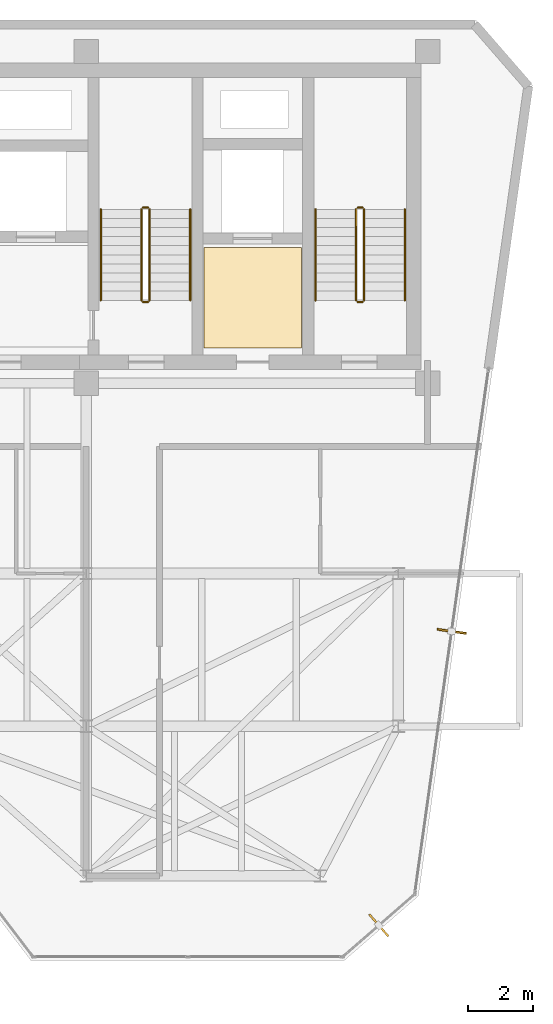
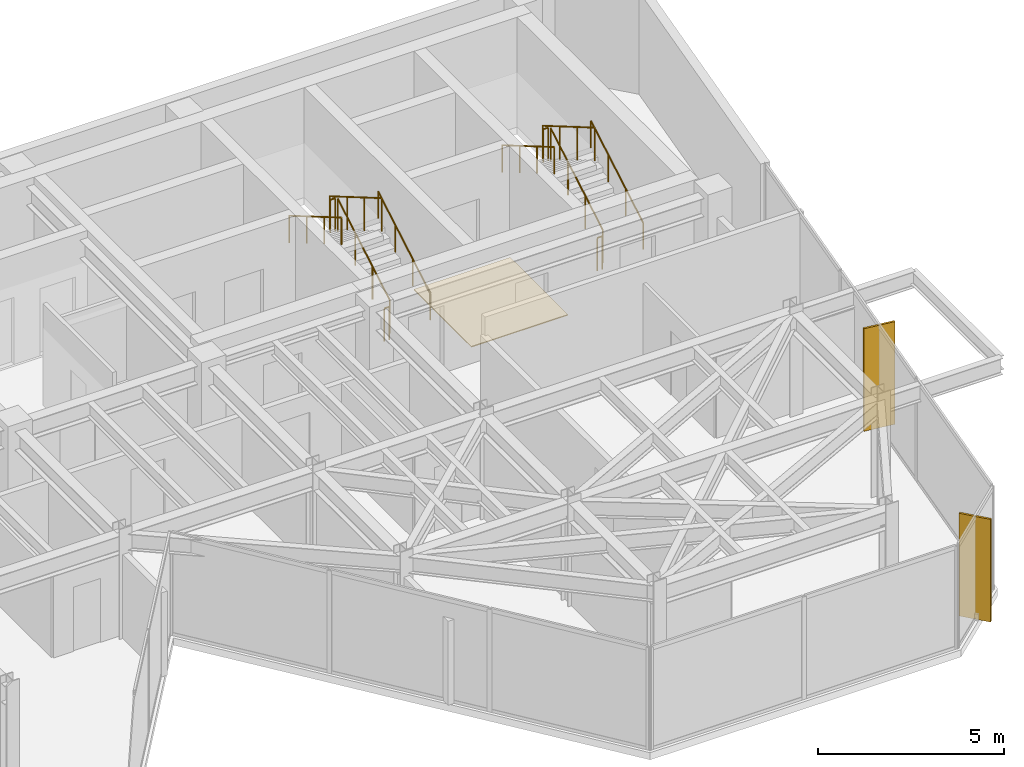
# One storey, part 16 of 16: 12 railings, 2 shading devices, 1 covering.
"""IFC4 building model written with IfcOpenShell, lengths in metres."""

from ifc_helpers import new_model, si_unit, direction, frame, origin, origin_2d, place, context, subcontext, project, spatial, polyline, rectangle, circle, outline, extrude, material, layer, layer_set, type_object, element, save


model = new_model("IFC4")

# Units and contexts
model_context = context("Model", 3, precision=1e-05, world=origin(), true_north=direction((0.0, 1.0)))
body_context = subcontext(model_context, "Body", "Model", "MODEL_VIEW")
ifc_project = project(units=[si_unit("LENGTHUNIT", "METRE"), si_unit("AREAUNIT", "SQUARE_METRE"), si_unit("VOLUMEUNIT", "CUBIC_METRE"), si_unit("PLANEANGLEUNIT", "RADIAN"), si_unit("MASSUNIT", "GRAM", prefix="KILO")], contexts=[model_context])

# Site, building, storey
site_placement = place(None, origin())
site = spatial("IfcSite", under=ifc_project, at=site_placement, CompositionType="ELEMENT")
building_placement = place(site_placement, origin())
building = spatial("IfcBuilding", under=site, at=building_placement, Name="Kravanh Interchange Tower", CompositionType="ELEMENT")
storey_placement = place(building_placement, frame((0.0, 0.0, 296.699951171875)))
storey = spatial("IfcBuildingStorey", under=building, at=storey_placement, Name="L73", CompositionType="ELEMENT", Elevation=296.699951171875)

# Covering
ifc_material_1 = material(Name="Cementitious Terrazzo Tile")
ifc_layer_1 = layer(ifc_material_1, 0.030029296875)
ifc_layer_set_1 = layer_set([ifc_layer_1], Name="Honed Terrazzo Lobby Flooring 30mm")
covering_type = type_object("IfcCoveringType", Name="Honed Terrazzo Lobby Flooring 30mm", PredefinedType="FLOORING", material=ifc_layer_set_1)
covering_placement = place(storey_placement, origin())
element("IfcCovering", 1, at=covering_placement, inside=storey, type_object=covering_type, Name="L73 Service Lift Lobby Floor Finish", PredefinedType="FLOORING", context=body_context, shape_type="SweptSolid", body=[
    extrude(outline(polyline([(59.6298828125, 41.52001953125), (62.6201171875, 41.52001953125), (62.6201171875, 38.429931640625), (59.6298828125, 38.429931640625), (59.6298828125, 41.52001953125)])), origin(), (0.0, 0.0, 1.0), 0.030029296875),
])

# Railings
ifc_material_2 = material(Name="Structural Steel S355", Category="steel")
ifc_layer_2 = layer(ifc_material_2, 0.050048828125)
ifc_layer_set_2 = layer_set([ifc_layer_2], Name="Stair Well Guardrail Structural Steel S355 1100mm")
railing_type_1 = type_object("IfcRailingType", Name="Stair Well Guardrail Structural Steel S355 1100mm", PredefinedType="GUARDRAIL", material=ifc_layer_set_2)
railing_1_placement = place(storey_placement, frame((64.550048828125, 39.89990234375, 0.16357421875)))
element("IfcRailing", 2, at=railing_1_placement, inside=storey, type_object=railing_type_1, Name="L73 ST1 stair guard 1", PredefinedType="GUARDRAIL", context=body_context, shape_type="SweptSolid", body=[
    extrude(circle(Radius=0.02392578125, at=origin_2d()), frame((0.0, 0.0, 1.076171875), z_axis=(0.0, 0.863360870873, 0.504586966384), x_axis=(-1.0, 0.0, 0.0)), (0.0, 0.0, 1.0), 3.2431640625),
    extrude(circle(Radius=0.02099609375, at=origin_2d()), origin(), (0.0, 0.0, 1.0), 1.052001953125),
    extrude(circle(Radius=0.02099609375, at=origin_2d()), frame((0.0, 0.933349609375, 0.54541015625)), (0.0, 0.0, 1.0), 1.052001953125),
    extrude(circle(Radius=0.02099609375, at=origin_2d()), frame((0.0, 1.86669921875, 1.091064453125)), (0.0, 0.0, 1.0), 1.052001953125),
    extrude(circle(Radius=0.02099609375, at=origin_2d()), frame((0.0, 2.800048828125, 1.636474609375)), (0.0, 0.0, 1.0), 1.052001953125),
])
railing_2_placement = place(storey_placement, frame((64.5, 42.75, 1.800048828125)))
element("IfcRailing", 3, at=railing_2_placement, inside=storey, type_object=railing_type_1, Name="L73 ST1 stair guard 2", PredefinedType="GUARDRAIL", context=body_context, shape_type="SweptSolid", body=[
    extrude(circle(Radius=0.02392578125, at=origin_2d()), frame((0.0, 0.0, 1.076171875), z_axis=(-1.0, 0.0, 0.0), x_axis=(0.0, -1.0, 0.0)), (0.0, 0.0, 1.0), 0.14990234375),
    extrude(circle(Radius=0.02099609375, at=origin_2d()), origin(), (0.0, 0.0, 1.0), 1.052001953125),
    extrude(circle(Radius=0.02099609375, at=origin_2d()), frame((-0.14990234375, 0.0, 0.0)), (0.0, 0.0, 1.0), 1.052001953125),
])
railing_3_placement = place(storey_placement, frame((64.300048828125, 42.699951171875, 1.963623046875)))
element("IfcRailing", 4, at=railing_3_placement, inside=storey, type_object=railing_type_1, Name="L73 ST1 stair guard 3", PredefinedType="GUARDRAIL", context=body_context, shape_type="SweptSolid", body=[
    extrude(circle(Radius=0.02392578125, at=origin_2d()), frame((0.0, 0.0, 1.076171875), z_axis=(0.0, -0.863360870873, 0.504586966384), x_axis=(1.0, 0.0, 0.0)), (0.0, 0.0, 1.0), 3.2431640625),
    extrude(circle(Radius=0.02099609375, at=origin_2d()), origin(), (0.0, 0.0, 1.0), 1.052001953125),
    extrude(circle(Radius=0.02099609375, at=origin_2d()), frame((0.0, -0.933349609375, 0.54541015625)), (0.0, 0.0, 1.0), 1.052001953125),
    extrude(circle(Radius=0.02099609375, at=origin_2d()), frame((0.0, -1.86669921875, 1.091064453125)), (0.0, 0.0, 1.0), 1.052001953125),
    extrude(circle(Radius=0.02099609375, at=origin_2d()), frame((0.0, -2.800048828125, 1.636474609375)), (0.0, 0.0, 1.0), 1.052001953125),
])
railing_4_placement = place(storey_placement, frame((64.5, 39.85009765625, 0.0)))
element("IfcRailing", 5, at=railing_4_placement, inside=storey, type_object=railing_type_1, Name="L73 ST1 stair guard 4", PredefinedType="GUARDRAIL", context=body_context, shape_type="SweptSolid", body=[
    extrude(circle(Radius=0.02392578125, at=origin_2d()), frame((0.0, 0.0, 1.076171875), z_axis=(-1.0, 0.0, 0.0), x_axis=(0.0, -1.0, 0.0)), (0.0, 0.0, 1.0), 0.14990234375),
    extrude(circle(Radius=0.02099609375, at=origin_2d()), origin(), (0.0, 0.0, 1.0), 1.052001953125),
    extrude(circle(Radius=0.02099609375, at=origin_2d()), frame((-0.14990234375, 0.0, 0.0)), (0.0, 0.0, 1.0), 1.052001953125),
])
railing_5_placement = place(storey_placement, frame((57.949951171875, 39.89990234375, 0.16357421875)))
element("IfcRailing", 6, at=railing_5_placement, inside=storey, type_object=railing_type_1, Name="L73 ST2 stair guard 1", PredefinedType="GUARDRAIL", context=body_context, shape_type="SweptSolid", body=[
    extrude(circle(Radius=0.02392578125, at=origin_2d()), frame((0.0, 0.0, 1.076171875), z_axis=(0.0, 0.863360870873, 0.504586966384), x_axis=(-1.0, 0.0, 0.0)), (0.0, 0.0, 1.0), 3.2431640625),
    extrude(circle(Radius=0.02099609375, at=origin_2d()), origin(), (0.0, 0.0, 1.0), 1.052001953125),
    extrude(circle(Radius=0.02099609375, at=origin_2d()), frame((0.0, 0.933349609375, 0.54541015625)), (0.0, 0.0, 1.0), 1.052001953125),
    extrude(circle(Radius=0.02099609375, at=origin_2d()), frame((0.0, 1.86669921875, 1.091064453125)), (0.0, 0.0, 1.0), 1.052001953125),
    extrude(circle(Radius=0.02099609375, at=origin_2d()), frame((0.0, 2.800048828125, 1.636474609375)), (0.0, 0.0, 1.0), 1.052001953125),
])
railing_6_placement = place(storey_placement, frame((57.89990234375, 42.75, 1.800048828125)))
element("IfcRailing", 7, at=railing_6_placement, inside=storey, type_object=railing_type_1, Name="L73 ST2 stair guard 2", PredefinedType="GUARDRAIL", context=body_context, shape_type="SweptSolid", body=[
    extrude(circle(Radius=0.02392578125, at=origin_2d()), frame((0.0, 0.0, 1.076171875), z_axis=(-1.0, 0.0, 0.0), x_axis=(0.0, -1.0, 0.0)), (0.0, 0.0, 1.0), 0.14990234375),
    extrude(circle(Radius=0.02099609375, at=origin_2d()), origin(), (0.0, 0.0, 1.0), 1.052001953125),
    extrude(circle(Radius=0.02099609375, at=origin_2d()), frame((-0.14990234375, 0.0, 0.0)), (0.0, 0.0, 1.0), 1.052001953125),
])
railing_7_placement = place(storey_placement, frame((57.699951171875, 42.699951171875, 1.963623046875)))
element("IfcRailing", 8, at=railing_7_placement, inside=storey, type_object=railing_type_1, Name="L73 ST2 stair guard 3", PredefinedType="GUARDRAIL", context=body_context, shape_type="SweptSolid", body=[
    extrude(circle(Radius=0.02392578125, at=origin_2d()), frame((0.0, 0.0, 1.076171875), z_axis=(0.0, -0.863360870873, 0.504586966384), x_axis=(1.0, 0.0, 0.0)), (0.0, 0.0, 1.0), 3.2431640625),
    extrude(circle(Radius=0.02099609375, at=origin_2d()), origin(), (0.0, 0.0, 1.0), 1.052001953125),
    extrude(circle(Radius=0.02099609375, at=origin_2d()), frame((0.0, -0.933349609375, 0.54541015625)), (0.0, 0.0, 1.0), 1.052001953125),
    extrude(circle(Radius=0.02099609375, at=origin_2d()), frame((0.0, -1.86669921875, 1.091064453125)), (0.0, 0.0, 1.0), 1.052001953125),
    extrude(circle(Radius=0.02099609375, at=origin_2d()), frame((0.0, -2.800048828125, 1.636474609375)), (0.0, 0.0, 1.0), 1.052001953125),
])
railing_8_placement = place(storey_placement, frame((57.89990234375, 39.85009765625, 0.0)))
element("IfcRailing", 9, at=railing_8_placement, inside=storey, type_object=railing_type_1, Name="L73 ST2 stair guard 4", PredefinedType="GUARDRAIL", context=body_context, shape_type="SweptSolid", body=[
    extrude(circle(Radius=0.02392578125, at=origin_2d()), frame((0.0, 0.0, 1.076171875), z_axis=(-1.0, 0.0, 0.0), x_axis=(0.0, -1.0, 0.0)), (0.0, 0.0, 1.0), 0.14990234375),
    extrude(circle(Radius=0.02099609375, at=origin_2d()), origin(), (0.0, 0.0, 1.0), 1.052001953125),
    extrude(circle(Radius=0.02099609375, at=origin_2d()), frame((-0.14990234375, 0.0, 0.0)), (0.0, 0.0, 1.0), 1.052001953125),
])
ifc_material_3 = material(Name="Stainless Steel 304", Category="steel")
ifc_layer_3 = layer(ifc_material_3, 0.044921875)
ifc_layer_set_3 = layer_set([ifc_layer_3], Name="Tubular Stair Handrail Stainless 304 900mm")
railing_type_2 = type_object("IfcRailingType", Name="Tubular Stair Handrail Stainless 304 900mm", PredefinedType="HANDRAIL", material=ifc_layer_set_3)
railing_9_placement = place(storey_placement, frame((65.800048828125, 39.89990234375, 0.16357421875)))
element("IfcRailing", 10, at=railing_9_placement, inside=storey, type_object=railing_type_2, Name="L73 ST1 stair handrail 1", PredefinedType="HANDRAIL", context=body_context, shape_type="SweptSolid", body=[
    extrude(circle(Radius=0.02392578125, at=origin_2d()), frame((0.0, 0.0, 0.8759765625), z_axis=(0.0, 0.863360870873, 0.504586966384), x_axis=(-1.0, 0.0, 0.0)), (0.0, 0.0, 1.0), 3.2431640625),
    extrude(circle(Radius=0.02099609375, at=origin_2d()), origin(), (0.0, 0.0, 1.0), 0.851806640625),
    extrude(circle(Radius=0.02099609375, at=origin_2d()), frame((0.0, 0.933349609375, 0.54541015625)), (0.0, 0.0, 1.0), 0.851806640625),
    extrude(circle(Radius=0.02099609375, at=origin_2d()), frame((0.0, 1.86669921875, 1.091064453125)), (0.0, 0.0, 1.0), 0.851806640625),
    extrude(circle(Radius=0.02099609375, at=origin_2d()), frame((0.0, 2.800048828125, 1.636474609375)), (0.0, 0.0, 1.0), 0.851806640625),
])
railing_10_placement = place(storey_placement, frame((63.050048828125, 42.699951171875, 1.963623046875)))
element("IfcRailing", 11, at=railing_10_placement, inside=storey, type_object=railing_type_2, Name="L73 ST1 stair handrail 2", PredefinedType="HANDRAIL", context=body_context, shape_type="SweptSolid", body=[
    extrude(circle(Radius=0.02392578125, at=origin_2d()), frame((0.0, 0.0, 0.8759765625), z_axis=(0.0, -0.863360870873, 0.504586966384), x_axis=(1.0, 0.0, 0.0)), (0.0, 0.0, 1.0), 3.2431640625),
    extrude(circle(Radius=0.02099609375, at=origin_2d()), origin(), (0.0, 0.0, 1.0), 0.851806640625),
    extrude(circle(Radius=0.02099609375, at=origin_2d()), frame((0.0, -0.933349609375, 0.54541015625)), (0.0, 0.0, 1.0), 0.851806640625),
    extrude(circle(Radius=0.02099609375, at=origin_2d()), frame((0.0, -1.86669921875, 1.091064453125)), (0.0, 0.0, 1.0), 0.851806640625),
    extrude(circle(Radius=0.02099609375, at=origin_2d()), frame((0.0, -2.800048828125, 1.636474609375)), (0.0, 0.0, 1.0), 0.851806640625),
])
railing_11_placement = place(storey_placement, frame((59.199951171875, 39.89990234375, 0.16357421875)))
element("IfcRailing", 12, at=railing_11_placement, inside=storey, type_object=railing_type_2, Name="L73 ST2 stair handrail 1", PredefinedType="HANDRAIL", context=body_context, shape_type="SweptSolid", body=[
    extrude(circle(Radius=0.02392578125, at=origin_2d()), frame((0.0, 0.0, 0.8759765625), z_axis=(0.0, 0.863360870873, 0.504586966384), x_axis=(-1.0, 0.0, 0.0)), (0.0, 0.0, 1.0), 3.2431640625),
    extrude(circle(Radius=0.02099609375, at=origin_2d()), origin(), (0.0, 0.0, 1.0), 0.851806640625),
    extrude(circle(Radius=0.02099609375, at=origin_2d()), frame((0.0, 0.933349609375, 0.54541015625)), (0.0, 0.0, 1.0), 0.851806640625),
    extrude(circle(Radius=0.02099609375, at=origin_2d()), frame((0.0, 1.86669921875, 1.091064453125)), (0.0, 0.0, 1.0), 0.851806640625),
    extrude(circle(Radius=0.02099609375, at=origin_2d()), frame((0.0, 2.800048828125, 1.636474609375)), (0.0, 0.0, 1.0), 0.851806640625),
])
railing_12_placement = place(storey_placement, frame((56.449951171875, 42.699951171875, 1.963623046875)))
element("IfcRailing", 13, at=railing_12_placement, inside=storey, type_object=railing_type_2, Name="L73 ST2 stair handrail 2", PredefinedType="HANDRAIL", context=body_context, shape_type="SweptSolid", body=[
    extrude(circle(Radius=0.02392578125, at=origin_2d()), frame((0.0, 0.0, 0.8759765625), z_axis=(0.0, -0.863360870873, 0.504586966384), x_axis=(1.0, 0.0, 0.0)), (0.0, 0.0, 1.0), 3.2431640625),
    extrude(circle(Radius=0.02099609375, at=origin_2d()), origin(), (0.0, 0.0, 1.0), 0.851806640625),
    extrude(circle(Radius=0.02099609375, at=origin_2d()), frame((0.0, -0.933349609375, 0.54541015625)), (0.0, 0.0, 1.0), 0.851806640625),
    extrude(circle(Radius=0.02099609375, at=origin_2d()), frame((0.0, -1.86669921875, 1.091064453125)), (0.0, 0.0, 1.0), 0.851806640625),
    extrude(circle(Radius=0.02099609375, at=origin_2d()), frame((0.0, -2.800048828125, 1.636474609375)), (0.0, 0.0, 1.0), 0.851806640625),
])

# Shading devices
ifc_material_4 = material(Name="Anodised Champagne Bronze Aluminium", Category="aluminium")
ifc_layer_4 = layer(ifc_material_4, 0.06005859375)
ifc_layer_set_4 = layer_set([ifc_layer_4], Name="Vertical Bronze Solar Fin 900mm")
shading_device_type = type_object("IfcShadingDeviceType", Name="Vertical Bronze Solar Fin 900mm", PredefinedType="USERDEFINED", material=ifc_layer_set_4)
for number, where, z_axis, x_axis, name in (
    (14, (67.239501953125, 29.720703125, 0.0), (0.0, 0.0, 1.0), (0.990267783496, -0.139175130571, 0.0), "L73 BRONZE SOLAR FIN 1"),
    (15, (64.998779296875, 20.680908203125, 0.0), (0.0, 0.0, 1.0), (0.656059788471, -0.754708920016, 0.0), "L73 BRONZE SOLAR FIN 2"),
):
    element("IfcShadingDevice", number, at=place(storey_placement, frame(where, z_axis=z_axis, x_axis=x_axis)), inside=storey, type_object=shading_device_type, Name=name, ObjectType="FIN", PredefinedType="USERDEFINED", context=body_context, shape_type="SweptSolid", body=[
        extrude(rectangle(XDim=0.89990234375, YDim=0.06005859375, at=origin_2d()), origin(), (0.0, 0.0, 1.0), 3.364990234375),
    ])

save(model, "model.ifc")
